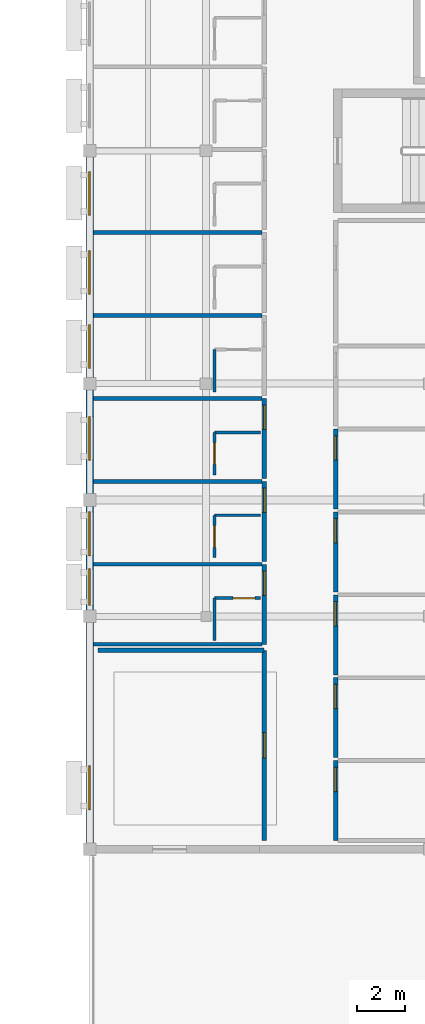
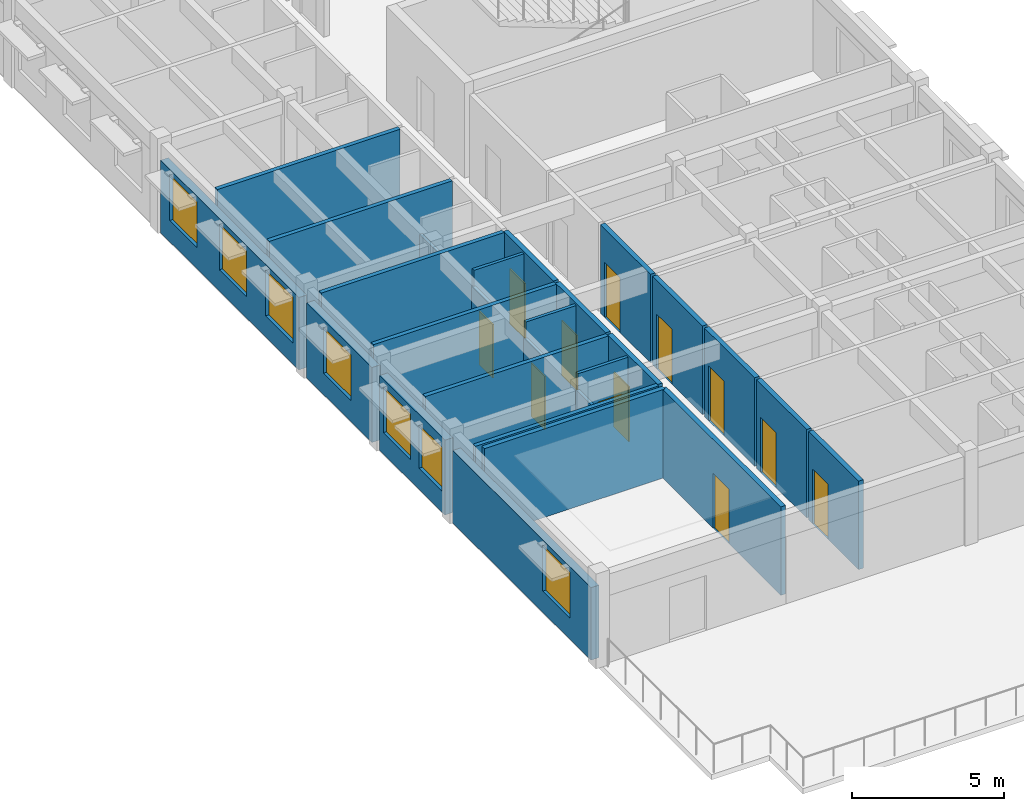
# One storey, part 7 of 22: 27 walls, 12 doors, 7 windows, 19 openings.
"""IFC4 building model written with IfcOpenShell, lengths in metres."""

import ifcopenshell
import ifcopenshell.guid

model = None  # the IFC model being written
_history = None  # IfcOwnerHistory: only IFC2X3 demands one
_inside = {}  # id of a spatial element -> (the spatial element, [elements in it])
_under = {}  # id of a project, library or spatial element -> (it, [spatial elements below it])
_declared = {}  # id of a project -> (the project, [libraries it declares])
_typed = {}  # id of a type object -> (the type object, [elements of that type])
_made_of = {}  # id of a material, layer set ... -> (it, [elements and type objects made of it])


def new_model(schema):
    """Start an empty IFC model of exactly this schema.

    Asked for "IFC4X3", IfcOpenShell would pick the latest addendum, in which some entities
    have other attributes; the version numbers below select the first issue.
    IFC2X3 requires an IfcOwnerHistory on every rooted entity: one is made here for all.
    """
    global model, _history
    if schema == "IFC4X3":
        model = ifcopenshell.file(schema_version=(4, 3, 0, 0))
    else:
        model = ifcopenshell.file(schema=schema)
    _inside.clear()
    _under.clear()
    _declared.clear()
    _typed.clear()
    _made_of.clear()
    _history = None
    if model.schema == "IFC2X3":
        org = make("IfcOrganization", Name="unknown")
        user = make(
            "IfcPersonAndOrganization",
            ThePerson=make("IfcPerson", FamilyName="unknown"),
            TheOrganization=org,
        )
        app = make(
            "IfcApplication",
            ApplicationDeveloper=org,
            Version="unknown",
            ApplicationFullName="unknown",
            ApplicationIdentifier="unknown",
        )
        _history = make(
            "IfcOwnerHistory",
            OwningUser=user,
            OwningApplication=app,
            ChangeAction="ADDED",
            CreationDate=0,
        )
    return model


def make(cls, **values):
    """One entity of the class cls with the attributes given. An attribute that is None is left unset."""
    return model.create_entity(
        cls, **{name: value for name, value in values.items() if value is not None}
    )


def rooted(cls, **values):
    """An entity with a GlobalId (a new one), such as an element, a storey or a relation."""
    return make(cls, GlobalId=ifcopenshell.guid.new(), OwnerHistory=_history, **values)


def si_unit(unit_type, name, prefix=None):
    """IfcSIUnit, for example si_unit("LENGTHUNIT", "METRE", prefix="MILLI")."""
    return make("IfcSIUnit", UnitType=unit_type, Prefix=prefix, Name=name)


def assignment(units):
    """IfcUnitAssignment: the units of a project."""
    return None if units is None else make("IfcUnitAssignment", Units=units)


def point(xyz):
    """IfcCartesianPoint."""
    return None if xyz is None else make("IfcCartesianPoint", Coordinates=xyz)


def direction(xyz):
    """IfcDirection."""
    return None if xyz is None else make("IfcDirection", DirectionRatios=xyz)


def frame(location, z_axis=None, x_axis=None):
    """IfcAxis2Placement3D, a coordinate frame: its origin and axes. An axis left out is left unset."""
    return make(
        "IfcAxis2Placement3D",
        Location=point(location),
        Axis=direction(z_axis),
        RefDirection=direction(x_axis),
    )


def frame_2d(location, x_axis=None):
    """IfcAxis2Placement2D, a coordinate frame in the plane: its origin and x axis."""
    return make(
        "IfcAxis2Placement2D", Location=point(location), RefDirection=direction(x_axis)
    )


def origin():
    """The frame at (0, 0, 0) with its axes left unset."""
    return frame((0.0, 0.0, 0.0))


def place(relative_to, where):
    """IfcLocalPlacement: puts the frame where relative to a parent placement (None: the world)."""
    return make(
        "IfcLocalPlacement", PlacementRelTo=relative_to, RelativePlacement=where
    )


def context(
    kind, dimensions, precision=None, world=None, true_north=None, identifier=None
):
    """IfcGeometricRepresentationContext, for example the 3D "Model" context."""
    return make(
        "IfcGeometricRepresentationContext",
        ContextIdentifier=identifier,
        ContextType=kind,
        CoordinateSpaceDimension=dimensions,
        Precision=precision,
        WorldCoordinateSystem=world,
        TrueNorth=true_north,
    )


def subcontext(parent, identifier, kind, view, scale=None):
    """IfcGeometricRepresentationSubContext, for example "Body" below "Model"."""
    return make(
        "IfcGeometricRepresentationSubContext",
        ContextIdentifier=identifier,
        ContextType=kind,
        ParentContext=parent,
        TargetScale=scale,
        TargetView=view,
    )


def project(units=None, contexts=None):
    """IfcProject with its units and contexts."""
    return rooted(
        "IfcProject",
        Name="project",
        RepresentationContexts=contexts,
        UnitsInContext=assignment(units),
    )


def spatial(cls, under=None, at=None, **own):
    """A site, building, storey or space (cls), placed at a placement, below another one or the project."""
    s = rooted(cls, ObjectPlacement=at, **own)
    if under is not None:
        _under.setdefault(under.id(), (under, []))[1].append(s)
    return s


def profile(cls, at=None, kind="AREA", **sizes):
    """A parametric profile (cls). Its sizes go by their IFC names, for example OverallWidth=200.0."""
    return make(cls, ProfileType=kind, Position=at, **sizes)


def rectangle(**sizes):
    """IfcRectangleProfileDef."""
    return profile("IfcRectangleProfileDef", **sizes)


def extrude(swept, where, along, depth):
    """IfcExtrudedAreaSolid: the profile swept, set in the frame where, extruded along a direction by depth."""
    return make(
        "IfcExtrudedAreaSolid",
        SweptArea=swept,
        Position=where,
        ExtrudedDirection=direction(along),
        Depth=depth,
    )


def shape(context_of_items, identifier, shape_type, items):
    """IfcShapeRepresentation: the items that make up one representation, for example the "Body"."""
    return make(
        "IfcShapeRepresentation",
        ContextOfItems=context_of_items,
        RepresentationIdentifier=identifier,
        RepresentationType=shape_type,
        Items=items,
    )


def material(Name=None, Category=None):
    """IfcMaterial."""
    return make("IfcMaterial", Name=Name, Category=Category)


def layer(
    of_material, thickness, ventilated=None, Name=None, Category=None, Priority=None
):
    """IfcMaterialLayer: one layer of a wall or slab, of a material (None: an air gap)."""
    return make(
        "IfcMaterialLayer",
        Material=of_material,
        LayerThickness=thickness,
        IsVentilated=ventilated,
        Name=Name,
        Category=Category,
        Priority=Priority,
    )


def layer_set(layers, Name=None):
    """IfcMaterialLayerSet."""
    return make("IfcMaterialLayerSet", MaterialLayers=layers, LayerSetName=Name)


def made_of(thing, what):
    """Note that an element or type object is made of a material, layer set ...; save() writes the relation."""
    if what is not None:
        _made_of.setdefault(what.id(), (what, []))[1].append(thing)
    return thing


def type_object(cls, material=None, **own):
    """A type object (cls), such as IfcWallType, which elements share."""
    return made_of(rooted(cls, **own), material)


def element(
    cls,
    number,
    at=None,
    inside=None,
    cuts=None,
    type_object=None,
    material=None,
    context=None,
    identifier="Body",
    shape_type=None,
    held_by="IfcProductDefinitionShape",
    body=None,
    shapes=None,
    **own,
):
    """One element of the class cls, such as IfcWall. Its Tag is "e" and its number.

    at: its placement. inside: the storey or other place that contains it. cuts: it is an
    opening in that element (IfcRelVoidsElement). A single representation is given by context,
    identifier, shape_type and body (its items); several are given by shapes. held_by: the class
    of the entity that holds the representations. save() writes the other relations.
    """
    e = rooted(cls, Tag="e%d" % number, ObjectPlacement=at, **own)
    if body is not None:
        shapes = [shape(context, identifier, shape_type, body)]
    if shapes is not None:
        e.Representation = make(held_by, Representations=shapes)
    if inside is not None:
        _inside.setdefault(inside.id(), (inside, []))[1].append(e)
    if cuts is not None:
        rooted(
            "IfcRelVoidsElement", RelatingBuildingElement=cuts, RelatedOpeningElement=e
        )
    if type_object is not None:
        _typed.setdefault(type_object.id(), (type_object, []))[1].append(e)
    return made_of(e, material)


def fill(opening, filler):
    """IfcRelFillsElement: the door or window that sits in an opening."""
    return rooted(
        "IfcRelFillsElement",
        RelatingOpeningElement=opening,
        RelatedBuildingElement=filler,
    )


def aggregate(whole, parts):
    """IfcRelAggregates: a whole, such as a stair, and the parts it consists of."""
    return rooted("IfcRelAggregates", RelatingObject=whole, RelatedObjects=parts)


def save(model, path):
    """Write the relations noted so far, then the file.

    IfcRelAggregates (storeys below a building ...), IfcRelContainedInSpatialStructure (elements
    in a storey), IfcRelDefinesByType, IfcRelAssociatesMaterial and IfcRelDeclares: one each for
    every whole, place, type object, material and project.
    """
    for whole, parts in _under.values():
        aggregate(whole, parts)
    for where, things in _inside.values():
        rooted(
            "IfcRelContainedInSpatialStructure",
            RelatedElements=things,
            RelatingStructure=where,
        )
    for kind, things in _typed.values():
        rooted("IfcRelDefinesByType", RelatedObjects=things, RelatingType=kind)
    for what, things in _made_of.values():
        rooted("IfcRelAssociatesMaterial", RelatedObjects=things, RelatingMaterial=what)
    for by, libraries in _declared.values():
        rooted("IfcRelDeclares", RelatingContext=by, RelatedDefinitions=libraries)
    model.write(path)


model = new_model("IFC4")

# Units and contexts
model_context = context("Model", 3, precision=1e-05, world=origin(), true_north=direction((0.0, 1.0)))
body_context = subcontext(model_context, "Body", "Model", "MODEL_VIEW")
ifc_project = project(units=[si_unit("LENGTHUNIT", "METRE"), si_unit("AREAUNIT", "SQUARE_METRE"), si_unit("VOLUMEUNIT", "CUBIC_METRE"), si_unit("PLANEANGLEUNIT", "RADIAN"), si_unit("MASSUNIT", "GRAM", prefix="KILO")], contexts=[model_context])

# Site, building, storey
site_placement = place(None, origin())
site = spatial("IfcSite", under=ifc_project, at=site_placement, CompositionType="ELEMENT")
building_placement = place(site_placement, origin())
building = spatial("IfcBuilding", under=site, at=building_placement, Name="Veldera Park Congress Hotel", CompositionType="ELEMENT")
storey_placement = place(building_placement, frame((0.0, 0.0, 23.800048828125)))
storey = spatial("IfcBuildingStorey", under=building, at=storey_placement, Name="L05", CompositionType="ELEMENT", Elevation=23.800048828125)

# Wall, openings, windows
ifc_material_1 = material(Name="Cross-laminated timber CLT V2M1.1", Category="wood")
ifc_layer_1 = layer(ifc_material_1, 0.300048828125)
ifc_layer_set_1 = layer_set([ifc_layer_1], Name="Cross-laminated timber CLT V2M1.1")
wall_type_1 = type_object("IfcWallType", Name="EW-CLT300", PredefinedType="STANDARD", material=ifc_layer_set_1)
wall_1_placement = place(storey_placement, frame((60.800048828125, -9.258056640625, 0.0), z_axis=(0.0, 0.0, 1.0), x_axis=(0.0, -1.0, 0.0)))
wall_1 = element("IfcWall", 1, at=wall_1_placement, inside=storey, type_object=wall_type_1, Name="L05 Exterior Wall EW3-L05-0304", PredefinedType="STANDARD", context=body_context, shape_type="SweptSolid", body=[
    extrude(rectangle(XDim=9.083984375, YDim=0.300048828125, at=frame_2d((4.5419921875, 0.0))), origin(), (0.0, 0.0, 1.0), 2.905029296875),
])
opening_1_placement = place(wall_1_placement, frame((6.907958984375, 0.0, 0.85009765625)))
opening_1 = element("IfcOpeningElement", 2, at=opening_1_placement, cuts=wall_1, Name="Opening WIN-1800", PredefinedType="OPENING", context=body_context, shape_type="SweptSolid", body=[
    extrude(rectangle(XDim=1.800048828125, YDim=1.85009765625, at=frame_2d((0.89990234375, 0.925048828125))), frame((0.0, 0.162109375, 0.0), z_axis=(0.0, -1.0, 0.0), x_axis=(1.0, 0.0, 0.0)), (0.0, 0.0, 1.0), 0.323974609375),
])
opening_2_placement = place(wall_1_placement, frame((3.862060546875, 0.0, 0.85009765625)))
opening_2 = element("IfcOpeningElement", 3, at=opening_2_placement, cuts=wall_1, Name="Opening WIN-1800", PredefinedType="OPENING", context=body_context, shape_type="SweptSolid", body=[
    extrude(rectangle(XDim=1.800048828125, YDim=1.85009765625, at=frame_2d((0.89990234375, 0.925048828125))), frame((0.0, 0.162109375, 0.0), z_axis=(0.0, -1.0, 0.0), x_axis=(1.0, 0.0, 0.0)), (0.0, 0.0, 1.0), 0.323974609375),
])
opening_3_placement = place(wall_1_placement, frame((0.595947265625, 0.0, 0.85009765625)))
opening_3 = element("IfcOpeningElement", 4, at=opening_3_placement, cuts=wall_1, Name="Opening WIN-1800", PredefinedType="OPENING", context=body_context, shape_type="SweptSolid", body=[
    extrude(rectangle(XDim=1.800048828125, YDim=1.85009765625, at=frame_2d((0.89990234375, 0.925048828125))), frame((0.0, 0.162109375, 0.0), z_axis=(0.0, -1.0, 0.0), x_axis=(1.0, 0.0, 0.0)), (0.0, 0.0, 1.0), 0.323974609375),
])
ifc_material_2 = material(Name="Low-E Triple Insulating Glass Unit (SHGC 0.22)", Category="glass")
window_type_1 = type_object("IfcWindowType", Name="WIN-1800", PartitioningType="SINGLE_PANEL", PredefinedType="WINDOW", material=ifc_material_2)
window_1_placement = place(opening_1_placement, origin())
window_1 = element("IfcWindow", 5, at=window_1_placement, inside=storey, type_object=window_type_1, Name="L05 Window WIN-1800 479", OverallHeight=1.85009765625, OverallWidth=1.800048828125, PartitioningType="SINGLE_PANEL", PredefinedType="WINDOW", context=body_context, shape_type="SweptSolid", body=[
    extrude(rectangle(XDim=1.800048828125, YDim=1.85009765625, at=frame_2d((0.89990234375, 0.925048828125))), frame((0.0, 0.030029296875, 0.0), z_axis=(0.0, -1.0, 0.0), x_axis=(1.0, 0.0, 0.0)), (0.0, 0.0, 1.0), 0.06005859375),
])
fill(opening_1, window_1)
window_2_placement = place(opening_2_placement, origin())
window_2 = element("IfcWindow", 6, at=window_2_placement, inside=storey, type_object=window_type_1, Name="L05 Window WIN-1800 480", OverallHeight=1.85009765625, OverallWidth=1.800048828125, PartitioningType="SINGLE_PANEL", PredefinedType="WINDOW", context=body_context, shape_type="SweptSolid", body=[
    extrude(rectangle(XDim=1.800048828125, YDim=1.85009765625, at=frame_2d((0.89990234375, 0.925048828125))), frame((0.0, 0.030029296875, 0.0), z_axis=(0.0, -1.0, 0.0), x_axis=(1.0, 0.0, 0.0)), (0.0, 0.0, 1.0), 0.06005859375),
])
fill(opening_2, window_2)
window_3_placement = place(opening_3_placement, origin())
window_3 = element("IfcWindow", 7, at=window_3_placement, inside=storey, type_object=window_type_1, Name="L05 Window WIN-1800 481", OverallHeight=1.85009765625, OverallWidth=1.800048828125, PartitioningType="SINGLE_PANEL", PredefinedType="WINDOW", context=body_context, shape_type="SweptSolid", body=[
    extrude(rectangle(XDim=1.800048828125, YDim=1.85009765625, at=frame_2d((0.89990234375, 0.925048828125))), frame((0.0, 0.030029296875, 0.0), z_axis=(0.0, -1.0, 0.0), x_axis=(1.0, 0.0, 0.0)), (0.0, 0.0, 1.0), 0.06005859375),
])
fill(opening_3, window_3)

# Wall, opening, window
wall_2_placement = place(storey_placement, frame((60.800048828125, -18.85791015625, 0.0), z_axis=(0.0, 0.0, 1.0), x_axis=(0.0, -1.0, 0.0)))
wall_2 = element("IfcWall", 8, at=wall_2_placement, inside=storey, type_object=wall_type_1, Name="L05 Exterior Wall EW3-L05-0305", PredefinedType="STANDARD", context=body_context, shape_type="SweptSolid", body=[
    extrude(rectangle(XDim=4.2841796875, YDim=0.300048828125, at=frame_2d((2.14208984375, 0.0))), origin(), (0.0, 0.0, 1.0), 3.0048828125),
])
opening_4_placement = place(wall_2_placement, frame((1.10205078125, 0.0, 0.85009765625)))
opening_4 = element("IfcOpeningElement", 9, at=opening_4_placement, cuts=wall_2, Name="Opening WIN-1800", PredefinedType="OPENING", context=body_context, shape_type="SweptSolid", body=[
    extrude(rectangle(XDim=1.800048828125, YDim=1.85009765625, at=frame_2d((0.89990234375, 0.925048828125))), frame((0.0, 0.162109375, 0.0), z_axis=(0.0, -1.0, 0.0), x_axis=(1.0, 0.0, 0.0)), (0.0, 0.0, 1.0), 0.323974609375),
])
window_4_placement = place(opening_4_placement, origin())
window_4 = element("IfcWindow", 10, at=window_4_placement, inside=storey, type_object=window_type_1, Name="L05 Window WIN-1800 478", OverallHeight=1.85009765625, OverallWidth=1.800048828125, PartitioningType="SINGLE_PANEL", PredefinedType="WINDOW", context=body_context, shape_type="SweptSolid", body=[
    extrude(rectangle(XDim=1.800048828125, YDim=1.85009765625, at=frame_2d((0.89990234375, 0.925048828125))), frame((0.0, 0.030029296875, 0.0), z_axis=(0.0, -1.0, 0.0), x_axis=(1.0, 0.0, 0.0)), (0.0, 0.0, 1.0), 0.06005859375),
])
fill(opening_4, window_4)

# Wall, openings, windows
wall_3_placement = place(storey_placement, frame((60.800048828125, -23.657958984375, 0.0), z_axis=(0.0, 0.0, 1.0), x_axis=(0.0, -1.0, 0.0)))
wall_3 = element("IfcWall", 11, at=wall_3_placement, inside=storey, type_object=wall_type_1, Name="L05 Exterior Wall EW3-L05-0306", PredefinedType="STANDARD", context=body_context, shape_type="SweptSolid", body=[
    extrude(rectangle(XDim=4.283935546875, YDim=0.300048828125, at=frame_2d((2.14208984375, 0.0))), origin(), (0.0, 0.0, 1.0), 3.0048828125),
])
opening_5_placement = place(wall_3_placement, frame((2.587890625, 0.0, 0.85009765625)))
opening_5 = element("IfcOpeningElement", 12, at=opening_5_placement, cuts=wall_3, Name="Opening WIN-1500", PredefinedType="OPENING", context=body_context, shape_type="SweptSolid", body=[
    extrude(rectangle(XDim=1.5, YDim=1.75, at=frame_2d((0.75, 0.875))), frame((0.0, 0.162109375, 0.0), z_axis=(0.0, -1.0, 0.0), x_axis=(1.0, 0.0, 0.0)), (0.0, 0.0, 1.0), 0.323974609375),
])
opening_6_placement = place(wall_3_placement, frame((0.236083984375, 0.0, 0.85009765625)))
opening_6 = element("IfcOpeningElement", 13, at=opening_6_placement, cuts=wall_3, Name="Opening WIN-1800", PredefinedType="OPENING", context=body_context, shape_type="SweptSolid", body=[
    extrude(rectangle(XDim=1.800048828125, YDim=1.85009765625, at=frame_2d((0.89990234375, 0.925048828125))), frame((0.0, 0.162109375, 0.0), z_axis=(0.0, -1.0, 0.0), x_axis=(1.0, 0.0, 0.0)), (0.0, 0.0, 1.0), 0.323974609375),
])
window_type_2 = type_object("IfcWindowType", Name="WIN-1500", PartitioningType="SINGLE_PANEL", PredefinedType="WINDOW", material=ifc_material_2)
window_5_placement = place(opening_5_placement, origin())
window_5 = element("IfcWindow", 14, at=window_5_placement, inside=storey, type_object=window_type_2, Name="L05 Window WIN-1500 476", OverallHeight=1.75, OverallWidth=1.5, PartitioningType="SINGLE_PANEL", PredefinedType="WINDOW", context=body_context, shape_type="SweptSolid", body=[
    extrude(rectangle(XDim=1.5, YDim=1.75, at=frame_2d((0.75, 0.875))), frame((0.0, 0.030029296875, 0.0), z_axis=(0.0, -1.0, 0.0), x_axis=(1.0, 0.0, 0.0)), (0.0, 0.0, 1.0), 0.06005859375),
])
fill(opening_5, window_5)
window_6_placement = place(opening_6_placement, origin())
window_6 = element("IfcWindow", 15, at=window_6_placement, inside=storey, type_object=window_type_1, Name="L05 Window WIN-1800 477", OverallHeight=1.85009765625, OverallWidth=1.800048828125, PartitioningType="SINGLE_PANEL", PredefinedType="WINDOW", context=body_context, shape_type="SweptSolid", body=[
    extrude(rectangle(XDim=1.800048828125, YDim=1.85009765625, at=frame_2d((0.89990234375, 0.925048828125))), frame((0.0, 0.030029296875, 0.0), z_axis=(0.0, -1.0, 0.0), x_axis=(1.0, 0.0, 0.0)), (0.0, 0.0, 1.0), 0.06005859375),
])
fill(opening_6, window_6)

# Wall, opening, window
wall_4_placement = place(storey_placement, frame((60.800048828125, -28.4580078125, 0.0), z_axis=(0.0, 0.0, 1.0), x_axis=(0.0, -1.0, 0.0)))
wall_4 = element("IfcWall", 16, at=wall_4_placement, inside=storey, type_object=wall_type_1, Name="L05 Exterior Wall EW3-L05-0307", PredefinedType="STANDARD", context=body_context, shape_type="SweptSolid", body=[
    extrude(rectangle(XDim=9.083984375, YDim=0.300048828125, at=frame_2d((4.5419921875, 0.0))), origin(), (0.0, 0.0, 1.0), 2.905029296875),
])
opening_7_placement = place(wall_4_placement, frame((5.9130859375, 0.0, 0.85009765625)))
opening_7 = element("IfcOpeningElement", 17, at=opening_7_placement, cuts=wall_4, Name="Opening WIN-1800", PredefinedType="OPENING", context=body_context, shape_type="SweptSolid", body=[
    extrude(rectangle(XDim=1.800048828125, YDim=1.85009765625, at=frame_2d((0.89990234375, 0.925048828125))), frame((0.0, 0.162109375, 0.0), z_axis=(0.0, -1.0, 0.0), x_axis=(1.0, 0.0, 0.0)), (0.0, 0.0, 1.0), 0.323974609375),
])
window_7_placement = place(opening_7_placement, origin())
window_7 = element("IfcWindow", 18, at=window_7_placement, inside=storey, type_object=window_type_1, Name="L05 Window WIN-1800 235", OverallHeight=1.85009765625, OverallWidth=1.800048828125, PartitioningType="SINGLE_PANEL", PredefinedType="WINDOW", context=body_context, shape_type="SweptSolid", body=[
    extrude(rectangle(XDim=1.800048828125, YDim=1.85009765625, at=frame_2d((0.89990234375, 0.925048828125))), frame((0.0, 0.030029296875, 0.0), z_axis=(0.0, -1.0, 0.0), x_axis=(1.0, 0.0, 0.0)), (0.0, 0.0, 1.0), 0.06005859375),
])
fill(opening_7, window_7)

# Wall
ifc_material_3 = material(Name="Fire-Rated Gypsum Board on Cold-Formed Steel Studs", Category="steel")
ifc_layer_2 = layer(ifc_material_3, 0.1201171875)
ifc_layer_set_2 = layer_set([ifc_layer_2], Name="Fire-Rated Gypsum Board on Cold-Formed Steel Studs")
wall_type_2 = type_object("IfcWallType", Name="IW-BATH120", PredefinedType="PARTITIONING", material=ifc_layer_set_2)
wall_5_placement = place(storey_placement, frame((65.949951171875, -29.199951171875, 0.0), z_axis=(0.0, 0.0, 1.0), x_axis=(0.0, 1.0, 0.0)))
element("IfcWall", 19, at=wall_5_placement, inside=storey, type_object=wall_type_2, Name="L05 Partition Wall IW3-L05-01011", PredefinedType="PARTITIONING", context=body_context, shape_type="SweptSolid", body=[
    extrude(rectangle(XDim=1.75, YDim=0.1201171875, at=frame_2d((0.875, 0.0))), origin(), (0.0, 0.0, 1.0), 2.905029296875),
])

# Wall, opening, door
wall_6_placement = place(storey_placement, frame((65.949951171875, -27.449951171875, 0.0), z_axis=(0.0, 0.0, 1.0), x_axis=(1.0, 0.0, 0.0)))
wall_6 = element("IfcWall", 20, at=wall_6_placement, inside=storey, type_object=wall_type_2, Name="L05 Partition Wall IW3-L05-01012", PredefinedType="PARTITIONING", context=body_context, shape_type="SweptSolid", body=[
    extrude(rectangle(XDim=1.900146484375, YDim=0.1201171875, at=frame_2d((0.9501953125, 0.0))), origin(), (0.0, 0.0, 1.0), 3.550048828125),
])
opening_8_placement = place(wall_6_placement, frame((0.76611328125, 0.0, 0.0)))
opening_8 = element("IfcOpeningElement", 21, at=opening_8_placement, cuts=wall_6, Name="Opening ID-BATH090", PredefinedType="OPENING", context=body_context, shape_type="SweptSolid", body=[
    extrude(rectangle(XDim=0.89990234375, YDim=2.14990234375, at=frame_2d((0.449951171875, 1.074951171875))), frame((0.0, 0.072021484375, 0.0), z_axis=(0.0, -1.0, 0.0), x_axis=(1.0, 0.0, 0.0)), (0.0, 0.0, 1.0), 0.14404296875),
])
ifc_material_4 = material(Name="Solid Core White Oak Architectural Door", Category="wood")
door_type_1 = type_object("IfcDoorType", Name="ID-BATH090", OperationType="NOTDEFINED", PredefinedType="DOOR", material=ifc_material_4)
door_1_placement = place(opening_8_placement, origin())
door_1 = element("IfcDoor", 22, at=door_1_placement, inside=storey, type_object=door_type_1, Name="L05 En-suite 139 Door ID3-L05-0417 (DR3-ID3-L05-0417)", OperationType="SINGLE_SWING_LEFT", OverallHeight=2.14990234375, OverallWidth=0.89990234375, PredefinedType="DOOR", context=body_context, shape_type="SweptSolid", body=[
    extrude(rectangle(XDim=0.89990234375, YDim=2.14990234375, at=frame_2d((0.449951171875, 1.074951171875))), frame((0.0, 0.02490234375, 0.0), z_axis=(0.0, -1.0, 0.0), x_axis=(1.0, 0.0, 0.0)), (0.0, 0.0, 1.0), 0.050048828125),
])
fill(opening_8, door_1)

wall_7_placement = place(storey_placement, frame((65.949951171875, -25.780029296875, 0.0), z_axis=(0.0, 0.0, 1.0), x_axis=(0.0, 1.0, 0.0)))
wall_7 = element("IfcWall", 23, at=wall_7_placement, inside=storey, type_object=wall_type_2, Name="L05 Partition Wall IW3-L05-01015", PredefinedType="PARTITIONING", context=body_context, shape_type="SweptSolid", body=[
    extrude(rectangle(XDim=1.75, YDim=0.1201171875, at=frame_2d((0.875, 0.0))), origin(), (0.0, 0.0, 1.0), 2.905029296875),
])
opening_9_placement = place(wall_7_placement, frame((0.425048828125, 0.0, 0.0)))
opening_9 = element("IfcOpeningElement", 24, at=opening_9_placement, cuts=wall_7, Name="Opening ID-BATH090", PredefinedType="OPENING", context=body_context, shape_type="SweptSolid", body=[
    extrude(rectangle(XDim=0.89990234375, YDim=2.14990234375, at=frame_2d((0.449951171875, 1.074951171875))), frame((0.0, 0.072021484375, 0.0), z_axis=(0.0, -1.0, 0.0), x_axis=(1.0, 0.0, 0.0)), (0.0, 0.0, 1.0), 0.14404296875),
])
door_2_placement = place(opening_9_placement, origin())
door_2 = element("IfcDoor", 25, at=door_2_placement, inside=storey, type_object=door_type_1, Name="L05 En-suite 140 Door ID3-L05-0419 (DR3-ID3-L05-0419)", OperationType="SINGLE_SWING_LEFT", OverallHeight=2.14990234375, OverallWidth=0.89990234375, PredefinedType="DOOR", context=body_context, shape_type="SweptSolid", body=[
    extrude(rectangle(XDim=0.89990234375, YDim=2.14990234375, at=frame_2d((0.449951171875, 1.074951171875))), frame((0.0, 0.02490234375, 0.0), z_axis=(0.0, -1.0, 0.0), x_axis=(1.0, 0.0, 0.0)), (0.0, 0.0, 1.0), 0.050048828125),
])
fill(opening_9, door_2)

# Wall
wall_8_placement = place(storey_placement, frame((65.949951171875, -24.030029296875, 0.0), z_axis=(0.0, 0.0, 1.0), x_axis=(1.0, 0.0, 0.0)))
element("IfcWall", 26, at=wall_8_placement, inside=storey, type_object=wall_type_2, Name="L05 Partition Wall IW3-L05-01016", PredefinedType="PARTITIONING", context=body_context, shape_type="SweptSolid", body=[
    extrude(rectangle(XDim=1.900146484375, YDim=0.1201171875, at=frame_2d((0.9501953125, 0.0))), origin(), (0.0, 0.0, 1.0), 3.550048828125),
])

# Wall, opening, door
wall_9_placement = place(storey_placement, frame((65.949951171875, -22.360107421875, 0.0), z_axis=(0.0, 0.0, 1.0), x_axis=(0.0, 1.0, 0.0)))
wall_9 = element("IfcWall", 27, at=wall_9_placement, inside=storey, type_object=wall_type_2, Name="L05 Partition Wall IW3-L05-01019", PredefinedType="PARTITIONING", context=body_context, shape_type="SweptSolid", body=[
    extrude(rectangle(XDim=1.75, YDim=0.1201171875, at=frame_2d((0.875, 0.0))), origin(), (0.0, 0.0, 1.0), 2.905029296875),
])
opening_10_placement = place(wall_9_placement, frame((0.425048828125, 0.0, 0.0)))
opening_10 = element("IfcOpeningElement", 28, at=opening_10_placement, cuts=wall_9, Name="Opening ID-BATH090", PredefinedType="OPENING", context=body_context, shape_type="SweptSolid", body=[
    extrude(rectangle(XDim=0.89990234375, YDim=2.14990234375, at=frame_2d((0.449951171875, 1.074951171875))), frame((0.0, 0.072021484375, 0.0), z_axis=(0.0, -1.0, 0.0), x_axis=(1.0, 0.0, 0.0)), (0.0, 0.0, 1.0), 0.14404296875),
])
door_3_placement = place(opening_10_placement, origin())
door_3 = element("IfcDoor", 29, at=door_3_placement, inside=storey, type_object=door_type_1, Name="L05 En-suite 141 Door ID3-L05-0421 (DR3-ID3-L05-0421)", OperationType="SINGLE_SWING_LEFT", OverallHeight=2.14990234375, OverallWidth=0.89990234375, PredefinedType="DOOR", context=body_context, shape_type="SweptSolid", body=[
    extrude(rectangle(XDim=0.89990234375, YDim=2.14990234375, at=frame_2d((0.449951171875, 1.074951171875))), frame((0.0, 0.02490234375, 0.0), z_axis=(0.0, -1.0, 0.0), x_axis=(1.0, 0.0, 0.0)), (0.0, 0.0, 1.0), 0.050048828125),
])
fill(opening_10, door_3)

# Walls
wall_10_placement = place(storey_placement, frame((65.949951171875, -20.610107421875, 0.0), z_axis=(0.0, 0.0, 1.0), x_axis=(1.0, 0.0, 0.0)))
element("IfcWall", 30, at=wall_10_placement, inside=storey, type_object=wall_type_2, Name="L05 Partition Wall IW3-L05-01020", PredefinedType="PARTITIONING", context=body_context, shape_type="SweptSolid", body=[
    extrude(rectangle(XDim=1.900146484375, YDim=0.1201171875, at=frame_2d((0.9501953125, 0.0))), origin(), (0.0, 0.0, 1.0), 3.550048828125),
])
wall_11_placement = place(storey_placement, frame((65.949951171875, -18.93994140625, 0.0), z_axis=(0.0, 0.0, 1.0), x_axis=(0.0, 1.0, 0.0)))
element("IfcWall", 31, at=wall_11_placement, inside=storey, type_object=wall_type_2, Name="L05 Partition Wall IW3-L05-01023", PredefinedType="PARTITIONING", context=body_context, shape_type="SweptSolid", body=[
    extrude(rectangle(XDim=1.75, YDim=0.1201171875, at=frame_2d((0.875, 0.0))), origin(), (0.0, 0.0, 1.0), 2.905029296875),
])

# Wall, opening, door
ifc_layer_3 = layer(ifc_material_3, 0.179931640625)
ifc_layer_set_3 = layer_set([ifc_layer_3], Name="Fire-Rated Gypsum Board on Cold-Formed Steel Studs")
wall_type_3 = type_object("IfcWallType", Name="IW-CORR180", PredefinedType="PARTITIONING", material=ifc_layer_set_3)
wall_12_placement = place(storey_placement, frame((68.0, -37.449951171875, 0.0), z_axis=(0.0, 0.0, 1.0), x_axis=(0.0, 1.0, 0.0)))
wall_12 = element("IfcWall", 32, at=wall_12_placement, inside=storey, type_object=wall_type_3, Name="L05 Partition Wall IW3-L05-00266", PredefinedType="PARTITIONING", context=body_context, shape_type="SweptSolid", body=[
    extrude(rectangle(XDim=7.849853515625, YDim=0.179931640625, at=frame_2d((3.9248046875, 0.0))), origin(), (0.0, 0.0, 1.0), 3.550048828125),
])
opening_11_placement = place(wall_12_placement, frame((3.39990234375, 0.0, 0.0)))
opening_11 = element("IfcOpeningElement", 33, at=opening_11_placement, cuts=wall_12, Name="Opening ID-MEET105", PredefinedType="OPENING", context=body_context, shape_type="SweptSolid", body=[
    extrude(rectangle(XDim=1.050048828125, YDim=2.199951171875, at=frame_2d((0.52490234375, 1.10009765625))), frame((0.0, 0.10205078125, 0.0), z_axis=(0.0, -1.0, 0.0), x_axis=(1.0, 0.0, 0.0)), (0.0, 0.0, 1.0), 0.203857421875),
])
door_type_2 = type_object("IfcDoorType", Name="ID-MEET105", OperationType="NOTDEFINED", PredefinedType="DOOR", material=ifc_material_4)
door_4_placement = place(opening_11_placement, origin())
door_4 = element("IfcDoor", 34, at=door_4_placement, inside=storey, type_object=door_type_2, Name="L05 Terrace Sunset Reading Salon Door ID3-L05-0097 (DR3-ID3-L05-0097)", OperationType="SINGLE_SWING_RIGHT", OverallHeight=2.199951171875, OverallWidth=1.050048828125, PredefinedType="DOOR", context=body_context, shape_type="SweptSolid", body=[
    extrude(rectangle(XDim=1.050048828125, YDim=2.199951171875, at=frame_2d((0.52490234375, 1.10009765625))), frame((0.0, 0.02490234375, 0.0), z_axis=(0.0, -1.0, 0.0), x_axis=(1.0, 0.0, 0.0)), (0.0, 0.0, 1.0), 0.050048828125),
])
fill(opening_11, door_4)

# Wall
wall_13_placement = place(storey_placement, frame((68.0, -29.60009765625, 0.0), z_axis=(0.0, 0.0, 1.0), x_axis=(-1.0, 0.0, 0.0)))
element("IfcWall", 35, at=wall_13_placement, inside=storey, type_object=wall_type_3, Name="L05 Partition Wall IW3-L05-00267", PredefinedType="PARTITIONING", context=body_context, shape_type="SweptSolid", body=[
    extrude(rectangle(XDim=6.85009765625, YDim=0.179931640625, at=frame_2d((3.425048828125, 0.0))), origin(), (0.0, 0.0, 1.0), 3.550048828125),
])

# Wall, opening, door
wall_14_placement = place(storey_placement, frame((68.0, -29.35009765625, 0.0), z_axis=(0.0, 0.0, 1.0), x_axis=(0.0, 1.0, 0.0)))
wall_14 = element("IfcWall", 36, at=wall_14_placement, inside=storey, type_object=wall_type_3, Name="L05 Corridor Wall IW3-L05-01008", PredefinedType="PARTITIONING", context=body_context, shape_type="SweptSolid", body=[
    extrude(rectangle(XDim=3.300048828125, YDim=0.179931640625, at=frame_2d((1.64990234375, 0.0))), origin(), (0.0, 0.0, 1.0), 3.550048828125),
])
opening_12_placement = place(wall_14_placement, frame((2.02001953125, 0.0, 0.0)))
opening_12 = element("IfcOpeningElement", 37, at=opening_12_placement, cuts=wall_14, Name="Opening ID-UNIT100", PredefinedType="OPENING", context=body_context, shape_type="SweptSolid", body=[
    extrude(rectangle(XDim=1.0, YDim=2.199951171875, at=frame_2d((0.5, 1.10009765625))), frame((0.0, 0.10205078125, 0.0), z_axis=(0.0, -1.0, 0.0), x_axis=(1.0, 0.0, 0.0)), (0.0, 0.0, 1.0), 0.203857421875),
])
door_type_3 = type_object("IfcDoorType", Name="ID-UNIT100", OperationType="NOTDEFINED", PredefinedType="DOOR", material=ifc_material_4)
door_5_placement = place(opening_12_placement, origin())
door_5 = element("IfcDoor", 38, at=door_5_placement, inside=storey, type_object=door_type_3, Name="L05 Guestroom 139 Entry Door (DR3-UD3-L05-139)", OperationType="SINGLE_SWING_RIGHT", OverallHeight=2.199951171875, OverallWidth=1.0, PredefinedType="DOOR", context=body_context, shape_type="SweptSolid", body=[
    extrude(rectangle(XDim=1.0, YDim=2.199951171875, at=frame_2d((0.5, 1.10009765625))), frame((0.0, 0.02490234375, 0.0), z_axis=(0.0, -1.0, 0.0), x_axis=(1.0, 0.0, 0.0)), (0.0, 0.0, 1.0), 0.050048828125),
])
fill(opening_12, door_5)

wall_15_placement = place(storey_placement, frame((68.0, -25.929931640625, 0.0), z_axis=(0.0, 0.0, 1.0), x_axis=(0.0, 1.0, 0.0)))
wall_15 = element("IfcWall", 39, at=wall_15_placement, inside=storey, type_object=wall_type_3, Name="L05 Corridor Wall IW3-L05-01013", PredefinedType="PARTITIONING", context=body_context, shape_type="SweptSolid", body=[
    extrude(rectangle(XDim=3.300048828125, YDim=0.179931640625, at=frame_2d((1.64990234375, 0.0))), origin(), (0.0, 0.0, 1.0), 3.550048828125),
])
opening_13_placement = place(wall_15_placement, frame((2.02001953125, 0.0, 0.0)))
opening_13 = element("IfcOpeningElement", 40, at=opening_13_placement, cuts=wall_15, Name="Opening ID-UNIT100", PredefinedType="OPENING", context=body_context, shape_type="SweptSolid", body=[
    extrude(rectangle(XDim=1.0, YDim=2.199951171875, at=frame_2d((0.5, 1.10009765625))), frame((0.0, 0.10205078125, 0.0), z_axis=(0.0, -1.0, 0.0), x_axis=(1.0, 0.0, 0.0)), (0.0, 0.0, 1.0), 0.203857421875),
])
door_6_placement = place(opening_13_placement, origin())
door_6 = element("IfcDoor", 41, at=door_6_placement, inside=storey, type_object=door_type_3, Name="L05 Guestroom 140 Entry Door (DR3-UD3-L05-140)", OperationType="SINGLE_SWING_RIGHT", OverallHeight=2.199951171875, OverallWidth=1.0, PredefinedType="DOOR", context=body_context, shape_type="SweptSolid", body=[
    extrude(rectangle(XDim=1.0, YDim=2.199951171875, at=frame_2d((0.5, 1.10009765625))), frame((0.0, 0.02490234375, 0.0), z_axis=(0.0, -1.0, 0.0), x_axis=(1.0, 0.0, 0.0)), (0.0, 0.0, 1.0), 0.050048828125),
])
fill(opening_13, door_6)

wall_16_placement = place(storey_placement, frame((68.0, -22.510009765625, 0.0), z_axis=(0.0, 0.0, 1.0), x_axis=(0.0, 1.0, 0.0)))
wall_16 = element("IfcWall", 42, at=wall_16_placement, inside=storey, type_object=wall_type_3, Name="L05 Corridor Wall IW3-L05-01017", PredefinedType="PARTITIONING", context=body_context, shape_type="SweptSolid", body=[
    extrude(rectangle(XDim=3.300048828125, YDim=0.179931640625, at=frame_2d((1.64990234375, 0.0))), origin(), (0.0, 0.0, 1.0), 3.550048828125),
])
opening_14_placement = place(wall_16_placement, frame((2.02001953125, 0.0, 0.0)))
opening_14 = element("IfcOpeningElement", 43, at=opening_14_placement, cuts=wall_16, Name="Opening ID-UNIT100", PredefinedType="OPENING", context=body_context, shape_type="SweptSolid", body=[
    extrude(rectangle(XDim=1.0, YDim=2.199951171875, at=frame_2d((0.5, 1.10009765625))), frame((0.0, 0.10205078125, 0.0), z_axis=(0.0, -1.0, 0.0), x_axis=(1.0, 0.0, 0.0)), (0.0, 0.0, 1.0), 0.203857421875),
])
door_7_placement = place(opening_14_placement, origin())
door_7 = element("IfcDoor", 44, at=door_7_placement, inside=storey, type_object=door_type_3, Name="L05 Guestroom 141 Entry Door (DR3-UD3-L05-141)", OperationType="SINGLE_SWING_RIGHT", OverallHeight=2.199951171875, OverallWidth=1.0, PredefinedType="DOOR", context=body_context, shape_type="SweptSolid", body=[
    extrude(rectangle(XDim=1.0, YDim=2.199951171875, at=frame_2d((0.5, 1.10009765625))), frame((0.0, 0.02490234375, 0.0), z_axis=(0.0, -1.0, 0.0), x_axis=(1.0, 0.0, 0.0)), (0.0, 0.0, 1.0), 0.050048828125),
])
fill(opening_14, door_7)

wall_17_placement = place(storey_placement, frame((70.949951171875, -34.14990234375, 0.0), z_axis=(0.0, 0.0, 1.0), x_axis=(0.0, -1.0, 0.0)))
wall_17 = element("IfcWall", 45, at=wall_17_placement, inside=storey, type_object=wall_type_3, Name="L05 Corridor Wall IW3-L05-01077", PredefinedType="PARTITIONING", context=body_context, shape_type="SweptSolid", body=[
    extrude(rectangle(XDim=3.300048828125, YDim=0.179931640625, at=frame_2d((1.64990234375, 0.0))), origin(), (0.0, 0.0, 1.0), 3.550048828125),
])
opening_15_placement = place(wall_17_placement, frame((0.280029296875, 0.0, 0.0)))
opening_15 = element("IfcOpeningElement", 46, at=opening_15_placement, cuts=wall_17, Name="Opening ID-UNIT100", PredefinedType="OPENING", context=body_context, shape_type="SweptSolid", body=[
    extrude(rectangle(XDim=1.0, YDim=2.199951171875, at=frame_2d((0.5, 1.10009765625))), frame((0.0, 0.10205078125, 0.0), z_axis=(0.0, -1.0, 0.0), x_axis=(1.0, 0.0, 0.0)), (0.0, 0.0, 1.0), 0.203857421875),
])
door_8_placement = place(opening_15_placement, origin())
door_8 = element("IfcDoor", 47, at=door_8_placement, inside=storey, type_object=door_type_3, Name="L05 Guestroom 156 Entry Door (DR3-UD3-L05-156)", OperationType="SINGLE_SWING_RIGHT", OverallHeight=2.199951171875, OverallWidth=1.0, PredefinedType="DOOR", context=body_context, shape_type="SweptSolid", body=[
    extrude(rectangle(XDim=1.0, YDim=2.199951171875, at=frame_2d((0.5, 1.10009765625))), frame((0.0, 0.02490234375, 0.0), z_axis=(0.0, -1.0, 0.0), x_axis=(1.0, 0.0, 0.0)), (0.0, 0.0, 1.0), 0.050048828125),
])
fill(opening_15, door_8)

wall_18_placement = place(storey_placement, frame((70.949951171875, -30.72998046875, 0.0), z_axis=(0.0, 0.0, 1.0), x_axis=(0.0, -1.0, 0.0)))
wall_18 = element("IfcWall", 48, at=wall_18_placement, inside=storey, type_object=wall_type_3, Name="L05 Corridor Wall IW3-L05-01083", PredefinedType="PARTITIONING", context=body_context, shape_type="SweptSolid", body=[
    extrude(rectangle(XDim=3.300048828125, YDim=0.179931640625, at=frame_2d((1.64990234375, 0.0))), origin(), (0.0, 0.0, 1.0), 3.550048828125),
])
opening_16_placement = place(wall_18_placement, frame((0.280029296875, 0.0, 0.0)))
opening_16 = element("IfcOpeningElement", 49, at=opening_16_placement, cuts=wall_18, Name="Opening ID-UNIT100", PredefinedType="OPENING", context=body_context, shape_type="SweptSolid", body=[
    extrude(rectangle(XDim=1.0, YDim=2.199951171875, at=frame_2d((0.5, 1.10009765625))), frame((0.0, 0.10205078125, 0.0), z_axis=(0.0, -1.0, 0.0), x_axis=(1.0, 0.0, 0.0)), (0.0, 0.0, 1.0), 0.203857421875),
])
door_9_placement = place(opening_16_placement, origin())
door_9 = element("IfcDoor", 50, at=door_9_placement, inside=storey, type_object=door_type_3, Name="L05 Guestroom 157 Entry Door (DR3-UD3-L05-157)", OperationType="SINGLE_SWING_RIGHT", OverallHeight=2.199951171875, OverallWidth=1.0, PredefinedType="DOOR", context=body_context, shape_type="SweptSolid", body=[
    extrude(rectangle(XDim=1.0, YDim=2.199951171875, at=frame_2d((0.5, 1.10009765625))), frame((0.0, 0.02490234375, 0.0), z_axis=(0.0, -1.0, 0.0), x_axis=(1.0, 0.0, 0.0)), (0.0, 0.0, 1.0), 0.050048828125),
])
fill(opening_16, door_9)

wall_19_placement = place(storey_placement, frame((70.949951171875, -27.31005859375, 0.0), z_axis=(0.0, 0.0, 1.0), x_axis=(0.0, -1.0, 0.0)))
wall_19 = element("IfcWall", 51, at=wall_19_placement, inside=storey, type_object=wall_type_3, Name="L05 Corridor Wall IW3-L05-01088", PredefinedType="PARTITIONING", context=body_context, shape_type="SweptSolid", body=[
    extrude(rectangle(XDim=3.300048828125, YDim=0.179931640625, at=frame_2d((1.64990234375, 0.0))), origin(), (0.0, 0.0, 1.0), 3.550048828125),
])
opening_17_placement = place(wall_19_placement, frame((0.280029296875, 0.0, 0.0)))
opening_17 = element("IfcOpeningElement", 52, at=opening_17_placement, cuts=wall_19, Name="Opening ID-UNIT100", PredefinedType="OPENING", context=body_context, shape_type="SweptSolid", body=[
    extrude(rectangle(XDim=1.0, YDim=2.199951171875, at=frame_2d((0.5, 1.10009765625))), frame((0.0, 0.10205078125, 0.0), z_axis=(0.0, -1.0, 0.0), x_axis=(1.0, 0.0, 0.0)), (0.0, 0.0, 1.0), 0.203857421875),
])
door_10_placement = place(opening_17_placement, origin())
door_10 = element("IfcDoor", 53, at=door_10_placement, inside=storey, type_object=door_type_3, Name="L05 Guestroom 158 Entry Door (DR3-UD3-L05-158)", OperationType="SINGLE_SWING_RIGHT", OverallHeight=2.199951171875, OverallWidth=1.0, PredefinedType="DOOR", context=body_context, shape_type="SweptSolid", body=[
    extrude(rectangle(XDim=1.0, YDim=2.199951171875, at=frame_2d((0.5, 1.10009765625))), frame((0.0, 0.02490234375, 0.0), z_axis=(0.0, -1.0, 0.0), x_axis=(1.0, 0.0, 0.0)), (0.0, 0.0, 1.0), 0.050048828125),
])
fill(opening_17, door_10)

wall_20_placement = place(storey_placement, frame((70.949951171875, -23.889892578125, 0.0), z_axis=(0.0, 0.0, 1.0), x_axis=(0.0, -1.0, 0.0)))
wall_20 = element("IfcWall", 54, at=wall_20_placement, inside=storey, type_object=wall_type_3, Name="L05 Corridor Wall IW3-L05-01093", PredefinedType="PARTITIONING", context=body_context, shape_type="SweptSolid", body=[
    extrude(rectangle(XDim=3.300048828125, YDim=0.179931640625, at=frame_2d((1.64990234375, 0.0))), origin(), (0.0, 0.0, 1.0), 3.550048828125),
])
opening_18_placement = place(wall_20_placement, frame((0.280029296875, 0.0, 0.0)))
opening_18 = element("IfcOpeningElement", 55, at=opening_18_placement, cuts=wall_20, Name="Opening ID-UNIT100", PredefinedType="OPENING", context=body_context, shape_type="SweptSolid", body=[
    extrude(rectangle(XDim=1.0, YDim=2.199951171875, at=frame_2d((0.5, 1.10009765625))), frame((0.0, 0.10205078125, 0.0), z_axis=(0.0, -1.0, 0.0), x_axis=(1.0, 0.0, 0.0)), (0.0, 0.0, 1.0), 0.203857421875),
])
door_11_placement = place(opening_18_placement, origin())
door_11 = element("IfcDoor", 56, at=door_11_placement, inside=storey, type_object=door_type_3, Name="L05 Guestroom 159 Entry Door (DR3-UD3-L05-159)", OperationType="SINGLE_SWING_RIGHT", OverallHeight=2.199951171875, OverallWidth=1.0, PredefinedType="DOOR", context=body_context, shape_type="SweptSolid", body=[
    extrude(rectangle(XDim=1.0, YDim=2.199951171875, at=frame_2d((0.5, 1.10009765625))), frame((0.0, 0.02490234375, 0.0), z_axis=(0.0, -1.0, 0.0), x_axis=(1.0, 0.0, 0.0)), (0.0, 0.0, 1.0), 0.050048828125),
])
fill(opening_18, door_11)

wall_21_placement = place(storey_placement, frame((70.949951171875, -20.469970703125, 0.0), z_axis=(0.0, 0.0, 1.0), x_axis=(0.0, -1.0, 0.0)))
wall_21 = element("IfcWall", 57, at=wall_21_placement, inside=storey, type_object=wall_type_3, Name="L05 Corridor Wall IW3-L05-01098", PredefinedType="PARTITIONING", context=body_context, shape_type="SweptSolid", body=[
    extrude(rectangle(XDim=3.300048828125, YDim=0.179931640625, at=frame_2d((1.64990234375, 0.0))), origin(), (0.0, 0.0, 1.0), 3.550048828125),
])
opening_19_placement = place(wall_21_placement, frame((0.280029296875, 0.0, 0.0)))
opening_19 = element("IfcOpeningElement", 58, at=opening_19_placement, cuts=wall_21, Name="Opening ID-UNIT100", PredefinedType="OPENING", context=body_context, shape_type="SweptSolid", body=[
    extrude(rectangle(XDim=1.0, YDim=2.199951171875, at=frame_2d((0.5, 1.10009765625))), frame((0.0, 0.10205078125, 0.0), z_axis=(0.0, -1.0, 0.0), x_axis=(1.0, 0.0, 0.0)), (0.0, 0.0, 1.0), 0.203857421875),
])
door_12_placement = place(opening_19_placement, origin())
door_12 = element("IfcDoor", 59, at=door_12_placement, inside=storey, type_object=door_type_3, Name="L05 Guestroom 160 Entry Door (DR3-UD3-L05-160)", OperationType="SINGLE_SWING_RIGHT", OverallHeight=2.199951171875, OverallWidth=1.0, PredefinedType="DOOR", context=body_context, shape_type="SweptSolid", body=[
    extrude(rectangle(XDim=1.0, YDim=2.199951171875, at=frame_2d((0.5, 1.10009765625))), frame((0.0, 0.02490234375, 0.0), z_axis=(0.0, -1.0, 0.0), x_axis=(1.0, 0.0, 0.0)), (0.0, 0.0, 1.0), 0.050048828125),
])
fill(opening_19, door_12)

# Walls
ifc_layer_4 = layer(ifc_material_1, 0.159912109375)
ifc_layer_set_4 = layer_set([ifc_layer_4], Name="Cross-laminated timber CLT V2M1.1")
wall_type_4 = type_object("IfcWallType", Name="IW-UNIT160", PredefinedType="PARTITIONING", material=ifc_layer_set_4)
for number, where, z_axis, x_axis, name in (
    (60, (60.9599609375, -29.35009765625, 0.0), (0.0, 0.0, 1.0), (1.0, 0.0, 0.0), "L05 Partition Wall IW3-L05-01009"),
    (61, (60.9599609375, -26.050048828125, 0.0), (0.0, 0.0, 1.0), (1.0, 0.0, 0.0), "L05 Partition Wall IW3-L05-01010"),
    (62, (60.9599609375, -22.6298828125, 0.0), (0.0, 0.0, 1.0), (1.0, 0.0, 0.0), "L05 Partition Wall IW3-L05-01014"),
    (63, (60.9599609375, -19.2099609375, 0.0), (0.0, 0.0, 1.0), (1.0, 0.0, 0.0), "L05 Partition Wall IW3-L05-01018"),
    (64, (60.9599609375, -15.7900390625, 0.0), (0.0, 0.0, 1.0), (1.0, 0.0, 0.0), "L05 Partition Wall IW3-L05-01022"),
    (65, (60.9599609375, -12.3701171875, 0.0), (0.0, 0.0, 1.0), (1.0, 0.0, 0.0), "L05 Partition Wall IW3-L05-01026"),
):
    element("IfcWall", number, at=place(storey_placement, frame(where, z_axis=z_axis, x_axis=x_axis)), inside=storey, type_object=wall_type_4, Name=name, PredefinedType="PARTITIONING", context=body_context, shape_type="SweptSolid", body=[
        extrude(rectangle(XDim=6.93994140625, YDim=0.159912109375, at=frame_2d((3.469970703125, 0.0))), origin(), (0.0, 0.0, 1.0), 3.550048828125),
    ])

save(model, "model.ifc")
